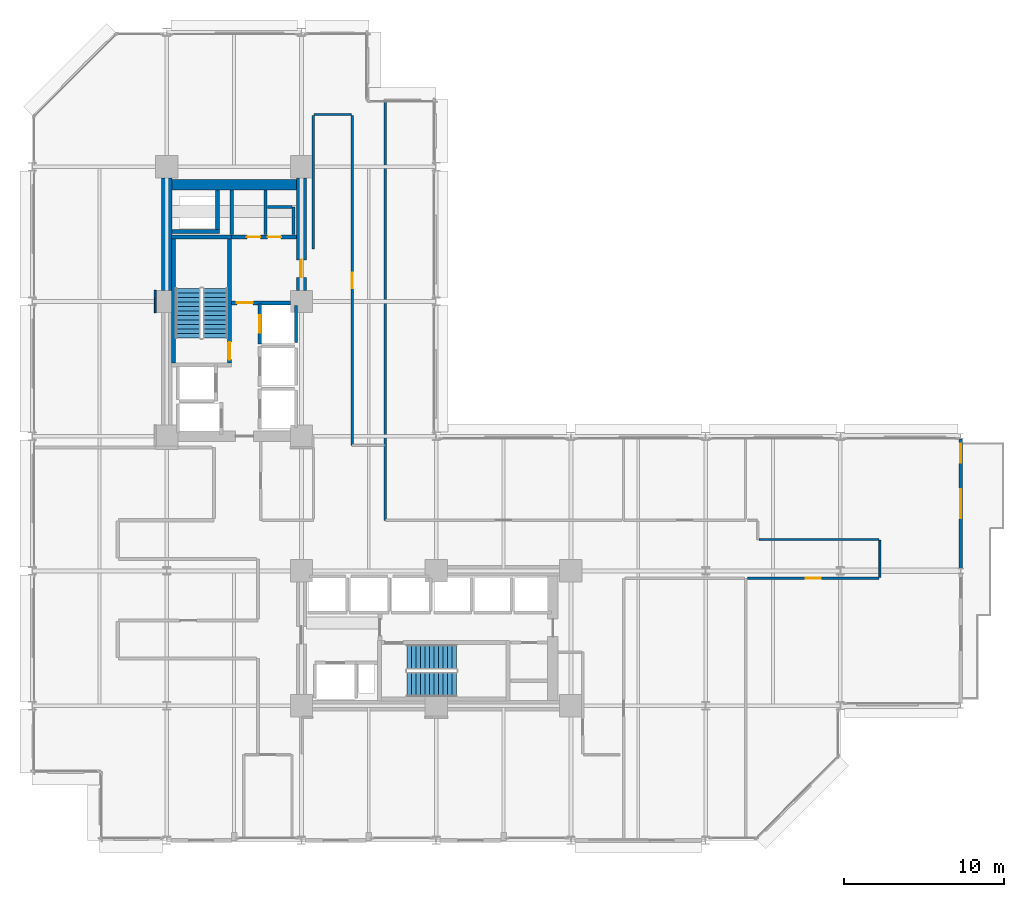
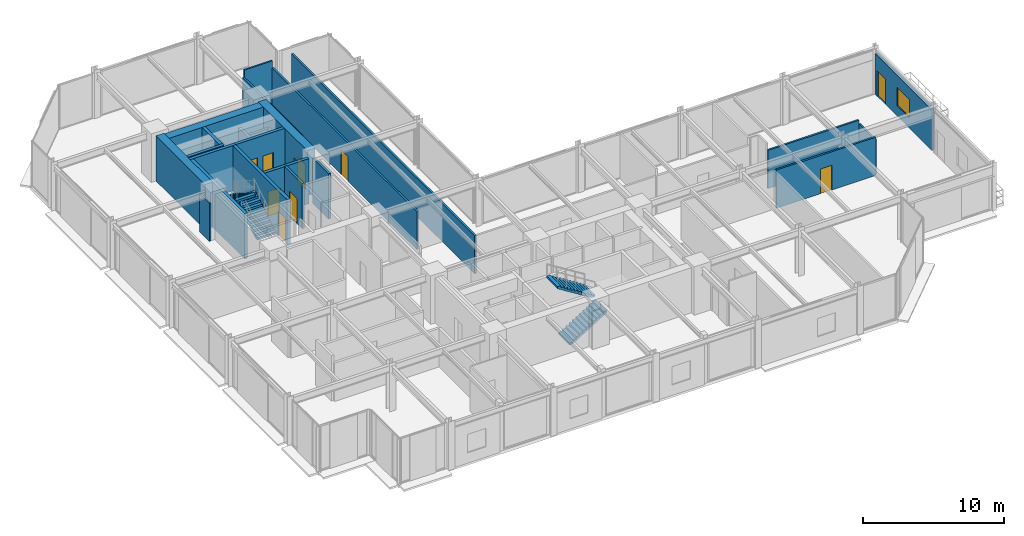
# One storey, part 24 of 27: 25 walls, 9 doors, 4 stair flights, 1 window, 10 openings, 2 elements without a shape of their own.
"""IFC4 building model written with IfcOpenShell, lengths in metres."""

from ifc_helpers import new_model, si_unit, direction, frame, frame_2d, origin, place, context, subcontext, project, spatial, polyline, rectangle, outline, extrude, material, layer, layer_set, type_object, element, fill, aggregate, save


model = new_model("IFC4")

# Units and contexts
model_context = context("Model", 3, precision=1e-05, world=origin(), true_north=direction((0.0, 1.0)))
body_context = subcontext(model_context, "Body", "Model", "MODEL_VIEW")
ifc_project = project(units=[si_unit("LENGTHUNIT", "METRE"), si_unit("AREAUNIT", "SQUARE_METRE"), si_unit("VOLUMEUNIT", "CUBIC_METRE"), si_unit("PLANEANGLEUNIT", "RADIAN"), si_unit("MASSUNIT", "GRAM", prefix="KILO")], contexts=[model_context])

# Site, building, storey
site_placement = place(None, origin())
site = spatial("IfcSite", under=ifc_project, at=site_placement, CompositionType="ELEMENT")
building_placement = place(site_placement, origin())
building = spatial("IfcBuilding", under=site, at=building_placement, Name="Nerrivon Quay Data Exchange", CompositionType="ELEMENT")
storey_placement = place(building_placement, frame((0.0, 0.0, 66.800048828125)))
storey = spatial("IfcBuildingStorey", under=building, at=storey_placement, Name="L15", CompositionType="ELEMENT", Elevation=66.800048828125)

# Wall, openings, door, window
ifc_material_1 = material(Name="Architectural terracotta precast concrete N50 (50 MPa)", Category="masonry")
ifc_layer_1 = layer(ifc_material_1, 0.239990234375)
ifc_layer_set_1 = layer_set([ifc_layer_1], Name="Architectural terracotta precast concrete N50 (50 MPa)")
wall_type_1 = type_object("IfcWallType", Name="EW-PREC-240", PredefinedType="STANDARD", material=ifc_layer_set_1)
wall_1_placement = place(storey_placement, frame((57.89990234375, 25.03662109375, 0.0), z_axis=(0.0, 0.0, 1.0), x_axis=(0.0, -1.0, 0.0)))
wall_1 = element("IfcWall", 1, at=wall_1_placement, inside=storey, type_object=wall_type_1, Name="L15 Terrace Host Wall 1", PredefinedType="STANDARD", context=body_context, shape_type="SweptSolid", body=[
    extrude(rectangle(XDim=8.0732421875, YDim=0.239990234375, at=frame_2d((4.03662109375, 0.0))), origin(), (0.0, 0.0, 1.0), 3.52197265625),
])
opening_1_placement = place(wall_1_placement, frame((0.300048828125, 0.0, 0.0)))
opening_1 = element("IfcOpeningElement", 2, at=opening_1_placement, cuts=wall_1, Name="Opening TD1", PredefinedType="OPENING", context=body_context, shape_type="SweptSolid", body=[
    extrude(rectangle(XDim=1.199951171875, YDim=2.199951171875, at=frame_2d((0.60009765625, 1.10009765625))), frame((0.0, 0.1298828125, 0.0), z_axis=(0.0, -1.0, 0.0), x_axis=(1.0, 0.0, 0.0)), (0.0, 0.0, 1.0), 0.260009765625),
])
opening_2_placement = place(wall_1_placement, frame((3.136474609375, 0.0, 0.89990234375)))
opening_2 = element("IfcOpeningElement", 3, at=opening_2_placement, cuts=wall_1, Name="Opening WN2", PredefinedType="OPENING", context=body_context, shape_type="SweptSolid", body=[
    extrude(rectangle(XDim=1.800048828125, YDim=1.60009765625, at=frame_2d((0.89990234375, 0.800048828125))), frame((0.0, 0.1298828125, 0.0), z_axis=(0.0, -1.0, 0.0), x_axis=(1.0, 0.0, 0.0)), (0.0, 0.0, 1.0), 0.260009765625),
])
ifc_material_2 = material(Name="Double-glazed low-E solar control glass", Category="glass")
door_type_1 = type_object("IfcDoorType", Name="DR-TERR-1200x2200", OperationType="NOTDEFINED", PredefinedType="DOOR", material=ifc_material_2)
door_1_placement = place(opening_1_placement, origin())
door_1 = element("IfcDoor", 4, at=door_1_placement, inside=storey, type_object=door_type_1, Name="L15 Outdoor Terrace Access Door 1", OperationType="SINGLE_SWING_RIGHT", OverallHeight=2.199951171875, OverallWidth=1.199951171875, PredefinedType="DOOR", context=body_context, shape_type="SweptSolid", body=[
    extrude(rectangle(XDim=1.199951171875, YDim=2.199951171875, at=frame_2d((0.60009765625, 1.10009765625))), frame((0.0, 0.02490234375, 0.0), z_axis=(0.0, -1.0, 0.0), x_axis=(1.0, 0.0, 0.0)), (0.0, 0.0, 1.0), 0.050048828125),
])
fill(opening_1, door_1)
window_type = type_object("IfcWindowType", Name="WIN-W2-1800x1600", PartitioningType="SINGLE_PANEL", PredefinedType="WINDOW", material=ifc_material_2)
window_placement = place(opening_2_placement, origin())
window = element("IfcWindow", 5, at=window_placement, inside=storey, type_object=window_type, Name="L15 Terrace Side Window 1", OverallHeight=1.60009765625, OverallWidth=1.800048828125, PartitioningType="SINGLE_PANEL", PredefinedType="WINDOW", context=body_context, shape_type="SweptSolid", body=[
    extrude(rectangle(XDim=1.800048828125, YDim=1.60009765625, at=frame_2d((0.89990234375, 0.800048828125))), frame((0.0, 0.030029296875, 0.0), z_axis=(0.0, -1.0, 0.0), x_axis=(1.0, 0.0, 0.0)), (0.0, 0.0, 1.0), 0.06005859375),
])
fill(opening_2, window)

# Walls
ifc_material_3 = material(Name="Concrete N80 (80 MPa)", Category="concrete")
ifc_layer_2 = layer(ifc_material_3, 0.64990234375)
ifc_layer_set_2 = layer_set([ifc_layer_2], Name="Concrete N80 (80 MPa)")
wall_type_2 = type_object("IfcWallType", Name="WALL-CW-850", PredefinedType="SHEAR", material=ifc_layer_set_2)
wall_2_placement = place(storey_placement, frame((8.39990234375, 34.300048828125, 0.0), z_axis=(0.0, 0.0, 1.0), x_axis=(0.0, 1.0, 0.0)))
element("IfcWall", 6, at=wall_2_placement, inside=storey, type_object=wall_type_2, Name="L15 West Split-Core Shear Wall WCW-W2", PredefinedType="SHEAR", context=body_context, shape_type="SweptSolid", body=[
    extrude(rectangle(XDim=7.0, YDim=0.64990234375, at=frame_2d((3.5, 0.0))), origin(), (0.0, 0.0, 1.0), 3.925048828125),
])
wall_3_placement = place(storey_placement, frame((8.72509765625, 40.875, 0.0), z_axis=(0.0, 0.0, 1.0), x_axis=(1.0, 0.0, 0.0)))
element("IfcWall", 7, at=wall_3_placement, inside=storey, type_object=wall_type_2, Name="L15 West Split-Core Shear Wall WCW-N1", PredefinedType="SHEAR", context=body_context, shape_type="SweptSolid", body=[
    extrude(rectangle(XDim=7.75, YDim=0.64990234375, at=frame_2d((3.875, 0.0))), origin(), (0.0, 0.0, 1.0), 3.925048828125),
])

# Wall, opening, door
wall_4_placement = place(storey_placement, frame((16.800048828125, 34.300048828125, 0.0), z_axis=(0.0, 0.0, 1.0), x_axis=(0.0, 1.0, 0.0)))
wall_4 = element("IfcWall", 8, at=wall_4_placement, inside=storey, type_object=wall_type_2, Name="L15 West Split-Core Shear Wall WCW-E1", PredefinedType="SHEAR", context=body_context, shape_type="SweptSolid", body=[
    extrude(rectangle(XDim=7.0, YDim=0.64990234375, at=frame_2d((3.5, 0.0))), origin(), (0.0, 0.0, 1.0), 3.925048828125),
])
opening_3_placement = place(wall_4_placement, frame((0.800048828125, 0.0, 0.0)))
opening_3 = element("IfcOpeningElement", 9, at=opening_3_placement, cuts=wall_4, Name="Opening FD-120", PredefinedType="OPENING", context=body_context, shape_type="SweptSolid", body=[
    extrude(rectangle(XDim=1.10009765625, YDim=2.14990234375, at=frame_2d((0.550048828125, 1.074951171875))), frame((0.0, 0.3349609375, 0.0), z_axis=(0.0, -1.0, 0.0), x_axis=(1.0, 0.0, 0.0)), (0.0, 0.0, 1.0), 0.669921875),
])
ifc_material_4 = material(Name="Powder-coated galvanized steel sheet", Category="steel")
door_type_2 = type_object("IfcDoorType", Name="DR-FD120-1100", OperationType="NOTDEFINED", PredefinedType="DOOR", material=ifc_material_4)
door_2_placement = place(opening_3_placement, origin())
door_2 = element("IfcDoor", 10, at=door_2_placement, inside=storey, type_object=door_type_2, Name="L15 West Core Lobby Fire Door", OperationType="SINGLE_SWING_RIGHT", OverallHeight=2.14990234375, OverallWidth=1.10009765625, PredefinedType="DOOR", context=body_context, shape_type="SweptSolid", body=[
    extrude(rectangle(XDim=1.10009765625, YDim=2.14990234375, at=frame_2d((0.550048828125, 1.074951171875))), frame((0.0, 0.02490234375, 0.0), z_axis=(0.0, -1.0, 0.0), x_axis=(1.0, 0.0, 0.0)), (0.0, 0.0, 1.0), 0.050048828125),
])
fill(opening_3, door_2)

ifc_material_5 = material(Name="Gypsum plasterboard on cold-formed framing", Category="gypsum")
ifc_layer_3 = layer(ifc_material_5, 0.199951171875)
ifc_layer_set_3 = layer_set([ifc_layer_3], Name="Gypsum plasterboard on cold-formed framing")
wall_type_3 = type_object("IfcWallType", Name="WALL-FW-200", PredefinedType="PARTITIONING", material=ifc_layer_set_3)
wall_5_placement = place(storey_placement, frame((14.199951171875, 30.949951171875, 0.0), z_axis=(0.0, 0.0, 1.0), x_axis=(0.0, 1.0, 0.0)))
wall_5 = element("IfcWall", 11, at=wall_5_placement, inside=storey, type_object=wall_type_3, Name="L15 Lift Front Wall PL3", PredefinedType="PARTITIONING", context=body_context, shape_type="SweptSolid", body=[
    extrude(rectangle(XDim=2.5, YDim=0.199951171875, at=frame_2d((1.25, 0.0))), origin(), (0.0, 0.0, 1.0), 3.925048828125),
])
opening_4_placement = place(wall_5_placement, frame((0.699951171875, 0.0, 0.0)))
opening_4 = element("IfcOpeningElement", 12, at=opening_4_placement, cuts=wall_5, Name="Opening LD-120", PredefinedType="OPENING", context=body_context, shape_type="SweptSolid", body=[
    extrude(rectangle(XDim=1.10009765625, YDim=2.199951171875, at=frame_2d((0.550048828125, 1.10009765625))), frame((0.0, 0.10986328125, 0.0), z_axis=(0.0, -1.0, 0.0), x_axis=(1.0, 0.0, 0.0)), (0.0, 0.0, 1.0), 0.219970703125),
])
door_type_3 = type_object("IfcDoorType", Name="DR-LIFT-LD120", OperationType="DOUBLE_DOOR_SLIDING", PredefinedType="DOOR", material=ifc_material_4)
door_3_placement = place(opening_4_placement, origin())
door_3 = element("IfcDoor", 13, at=door_3_placement, inside=storey, type_object=door_type_3, Name="L15 Lift Landing Sliding Door PL3", OperationType="DOUBLE_DOOR_SLIDING", OverallHeight=2.199951171875, OverallWidth=1.10009765625, PredefinedType="DOOR", context=body_context, shape_type="SweptSolid", body=[
    extrude(rectangle(XDim=1.10009765625, YDim=2.199951171875, at=frame_2d((0.550048828125, 1.10009765625))), frame((0.0, 0.02490234375, 0.0), z_axis=(0.0, -1.0, 0.0), x_axis=(1.0, 0.0, 0.0)), (0.0, 0.0, 1.0), 0.050048828125),
])
fill(opening_4, door_3)

# Walls
wall_6_placement = place(storey_placement, frame((16.449951171875, 31.050048828125, 0.0), z_axis=(0.0, 0.0, 1.0), x_axis=(0.0, 1.0, 0.0)))
element("IfcWall", 14, at=wall_6_placement, inside=storey, type_object=wall_type_3, Name="L15 Lift Shaft Wall PL3 EAST", PredefinedType="PARTITIONING", context=body_context, shape_type="SweptSolid", body=[
    extrude(rectangle(XDim=2.300048828125, YDim=0.199951171875, at=frame_2d((1.14990234375, 0.0))), origin(), (0.0, 0.0, 1.0), 3.925048828125),
])
for number, where, z_axis, x_axis, name in (
    (15, (14.550048828125, 37.780029296875, 0.0), (0.0, 0.0, 1.0), (0.0, 1.0, 0.0), "L15 Partition Electrical Switchboard Closet"),
    (16, (12.449951171875, 40.5458984375, 0.0), (0.0, 0.0, 1.0), (0.0, -1.0, 0.0), "L15 Partition Electrical Switchboard Closet"),
):
    element("IfcWall", number, at=place(storey_placement, frame(where, z_axis=z_axis, x_axis=x_axis)), inside=storey, type_object=wall_type_3, Name=name, PredefinedType="PARTITIONING", context=body_context, shape_type="SweptSolid", body=[
        extrude(rectangle(XDim=2.765869140625, YDim=0.199951171875, at=frame_2d((1.3828125, 0.0))), origin(), (0.0, 0.0, 1.0), 2.824951171875),
    ])
wall_7_placement = place(storey_placement, frame((16.300048828125, 37.780029296875, 0.0), z_axis=(0.0, 0.0, 1.0), x_axis=(0.0, 1.0, 0.0)))
element("IfcWall", 17, at=wall_7_placement, inside=storey, type_object=wall_type_3, Name="L15 Partition Janitor Closet", PredefinedType="PARTITIONING", context=body_context, shape_type="SweptSolid", body=[
    extrude(rectangle(XDim=1.719970703125, YDim=0.199951171875, at=frame_2d((0.85986328125, 0.0))), origin(), (0.0, 0.0, 1.0), 2.824951171875),
])
wall_8_placement = place(storey_placement, frame((16.196044921875, 39.5, 0.0), z_axis=(0.0, 0.0, 1.0), x_axis=(-1.0, 0.0, 0.0)))
element("IfcWall", 18, at=wall_8_placement, inside=storey, type_object=wall_type_3, Name="L15 Partition Janitor Closet", PredefinedType="PARTITIONING", context=body_context, shape_type="SweptSolid", body=[
    extrude(rectangle(XDim=1.506103515625, YDim=0.199951171875, at=frame_2d((0.7529296875, 0.0))), origin(), (0.0, 0.0, 1.0), 2.824951171875),
])
ifc_layer_4 = layer(ifc_material_5, 0.1201171875)
ifc_layer_set_4 = layer_set([ifc_layer_4], Name="Gypsum plasterboard on cold-formed framing")
wall_type_4 = type_object("IfcWallType", Name="WALL-PT-120", PredefinedType="PARTITIONING", material=ifc_layer_set_4)
wall_9_placement = place(storey_placement, frame((52.860107421875, 18.699951171875, 0.0), z_axis=(0.0, 0.0, 1.0), x_axis=(0.0, -1.0, 0.0)))
element("IfcWall", 19, at=wall_9_placement, inside=storey, type_object=wall_type_4, Name="L15 Partition Cloud Compute Workspace 1", PredefinedType="PARTITIONING", context=body_context, shape_type="SweptSolid", body=[
    extrude(rectangle(XDim=2.300048828125, YDim=0.1201171875, at=frame_2d((1.14990234375, 0.0))), origin(), (0.0, 0.0, 1.0), 3.014892578125),
])
wall_10_placement = place(storey_placement, frame((7.680908203125, 32.894287109375, 0.0), z_axis=(0.0, 0.0, 1.0), x_axis=(-0.000694685487, 0.999999758706, 0.0)))
element("IfcWall", 20, at=wall_10_placement, inside=storey, type_object=wall_type_4, Name="L15 Partition Optical Engineering Studios Workspace", PredefinedType="PARTITIONING", context=body_context, shape_type="SweptSolid", body=[
    extrude(rectangle(XDim=1.40576171875, YDim=0.1201171875, at=frame_2d((0.702880859375, 0.0))), origin(), (0.0, 0.0, 1.0), 3.31298828125),
])
wall_11_placement = place(storey_placement, frame((17.593994140625, 45.259765625, 0.0), z_axis=(0.0, 0.0, 1.0), x_axis=(0.999999994395, 0.000105876124, 0.0)))
element("IfcWall", 21, at=wall_11_placement, inside=storey, type_object=wall_type_4, Name="L15 Partition Optical Engineering Studios Workspace", PredefinedType="PARTITIONING", context=body_context, shape_type="SweptSolid", body=[
    extrude(rectangle(XDim=2.305908203125, YDim=0.1201171875, at=frame_2d((1.15283203125, 0.0))), origin(), (0.0, 0.0, 1.0), 3.925048828125),
])
ifc_layer_5 = layer(ifc_material_5, 0.14990234375)
ifc_layer_set_5 = layer_set([ifc_layer_5], Name="Gypsum plasterboard on cold-formed framing")
wall_type_5 = type_object("IfcWallType", Name="WALL-PT-150", PredefinedType="PARTITIONING", material=ifc_layer_set_5)
wall_12_placement = place(storey_placement, frame((22.02587890625, 46.031005859375, 0.0), z_axis=(0.0, 0.0, 1.0), x_axis=(0.0, -1.0, 0.0)))
element("IfcWall", 22, at=wall_12_placement, inside=storey, type_object=wall_type_5, Name="L15 Partition Peering Day Lounge", PredefinedType="PARTITIONING", context=body_context, shape_type="SweptSolid", body=[
    extrude(rectangle(XDim=26.071044921875, YDim=0.14990234375, at=frame_2d((13.03564453125, 0.0))), origin(), (0.0, 0.0, 1.0), 3.31298828125),
])
wall_13_placement = place(storey_placement, frame((45.323974609375, 18.760009765625, 0.0), z_axis=(0.0, 0.0, 1.0), x_axis=(1.0, 0.0, 0.0)))
element("IfcWall", 23, at=wall_13_placement, inside=storey, type_object=wall_type_5, Name="L15 Partition Cloud Compute Workspace 1", PredefinedType="PARTITIONING", context=body_context, shape_type="SweptSolid", body=[
    extrude(rectangle(XDim=7.47607421875, YDim=0.14990234375, at=frame_2d((3.738037109375, 0.0))), origin(), (0.0, 0.0, 1.0), 3.322998046875),
])

# Wall, opening, door
wall_14_placement = place(storey_placement, frame((52.800048828125, 16.340087890625, 0.0), z_axis=(0.0, 0.0, 1.0), x_axis=(-1.0, 0.0, 0.0)))
wall_14 = element("IfcWall", 24, at=wall_14_placement, inside=storey, type_object=wall_type_5, Name="L15 Partition Cloud Compute Workspace 1", PredefinedType="PARTITIONING", context=body_context, shape_type="SweptSolid", body=[
    extrude(rectangle(XDim=8.186279296875, YDim=0.14990234375, at=frame_2d((4.09326171875, 0.0))), origin(), (0.0, 0.0, 1.0), 3.322998046875),
])
opening_5_placement = place(wall_14_placement, frame((3.6181640625, 0.0, 0.0)))
opening_5 = element("IfcOpeningElement", 25, at=opening_5_placement, cuts=wall_14, Name="Opening D-01", PredefinedType="OPENING", context=body_context, shape_type="SweptSolid", body=[
    extrude(rectangle(XDim=0.949951171875, YDim=2.14990234375, at=frame_2d((0.47509765625, 1.074951171875))), frame((0.0, 0.0849609375, 0.0), z_axis=(0.0, -1.0, 0.0), x_axis=(1.0, 0.0, 0.0)), (0.0, 0.0, 1.0), 0.169921875),
])
ifc_material_6 = material(Name="Engineered hardwood timber", Category="wood")
door_type_4 = type_object("IfcDoorType", Name="DR-INT-950", OperationType="NOTDEFINED", PredefinedType="DOOR", material=ifc_material_6)
door_4_placement = place(opening_5_placement, origin())
door_4 = element("IfcDoor", 26, at=door_4_placement, inside=storey, type_object=door_type_4, Name="L15 Door Cloud Compute Workspace 1", OperationType="SINGLE_SWING_LEFT", OverallHeight=2.14990234375, OverallWidth=0.949951171875, PredefinedType="DOOR", context=body_context, shape_type="SweptSolid", body=[
    extrude(rectangle(XDim=0.949951171875, YDim=2.14990234375, at=frame_2d((0.47509765625, 1.074951171875))), frame((0.0, 0.02490234375, 0.0), z_axis=(0.0, -1.0, 0.0), x_axis=(1.0, 0.0, 0.0)), (0.0, 0.0, 1.0), 0.050048828125),
])
fill(opening_5, door_4)

wall_15_placement = place(storey_placement, frame((19.959716796875, 45.205810546875, 0.0), z_axis=(0.0, 0.0, 1.0), x_axis=(1.1861833e-05, -0.99999999993, 0.0)))
wall_15 = element("IfcWall", 27, at=wall_15_placement, inside=storey, type_object=wall_type_5, Name="L15 Partition Optical Engineering Studios Workspace", PredefinedType="PARTITIONING", context=body_context, shape_type="SweptSolid", body=[
    extrude(rectangle(XDim=20.58203125, YDim=0.14990234375, at=frame_2d((10.291015625, 0.0))), origin(), (0.0, 0.0, 1.0), 3.31298828125),
])
opening_6_placement = place(wall_15_placement, frame((9.81591796875, 0.0, 0.0)))
opening_6 = element("IfcOpeningElement", 28, at=opening_6_placement, cuts=wall_15, Name="Opening D-01", PredefinedType="OPENING", context=body_context, shape_type="SweptSolid", body=[
    extrude(rectangle(XDim=0.949951171875, YDim=2.14990234375, at=frame_2d((0.47509765625, 1.074951171875))), frame((0.0, 0.0849609375, 0.0), z_axis=(0.0, -1.0, 0.0), x_axis=(1.0, 0.0, 0.0)), (0.0, 0.0, 1.0), 0.169921875),
])
door_5_placement = place(opening_6_placement, origin())
door_5 = element("IfcDoor", 29, at=door_5_placement, inside=storey, type_object=door_type_4, Name="L15 Door Optical Engineering Studios Workspace", OperationType="SINGLE_SWING_LEFT", OverallHeight=2.14990234375, OverallWidth=0.949951171875, PredefinedType="DOOR", context=body_context, shape_type="SweptSolid", body=[
    extrude(rectangle(XDim=0.949951171875, YDim=2.14990234375, at=frame_2d((0.47509765625, 1.074951171875))), frame((0.0, 0.02490234375, 0.0), z_axis=(0.0, -1.0, 0.0), x_axis=(1.0, 0.0, 0.0)), (0.0, 0.0, 1.0), 0.050048828125),
])
fill(opening_6, door_5)

# Walls
wall_16_placement = place(storey_placement, frame((17.5400390625, 36.860107421875, 0.0), z_axis=(0.0, 0.0, 1.0), x_axis=(0.0, 1.0, 0.0)))
element("IfcWall", 30, at=wall_16_placement, inside=storey, type_object=wall_type_5, Name="L15 Partition Optical Engineering Studios Workspace", PredefinedType="PARTITIONING", context=body_context, shape_type="SweptSolid", body=[
    extrude(rectangle(XDim=8.33984375, YDim=0.14990234375, at=frame_2d((4.169921875, 0.0))), origin(), (0.0, 0.0, 1.0), 3.31298828125),
])
ifc_material_7 = material(Name="Concrete N50 (50 MPa)", Category="concrete")
ifc_layer_6 = layer(ifc_material_7, 0.25)
ifc_layer_set_6 = layer_set([ifc_layer_6], Name="Concrete N50 (50 MPa)")
wall_type_6 = type_object("IfcWallType", Name="WALL-SW-250", PredefinedType="SHEAR", material=ifc_layer_set_6)
wall_17_placement = place(storey_placement, frame((12.449951171875, 37.625, 0.0), z_axis=(0.0, 0.0, 1.0), x_axis=(-1.0, 0.0, 0.0)))
element("IfcWall", 31, at=wall_17_placement, inside=storey, type_object=wall_type_6, Name="L15 ST01 Structural Stair Core Wall FAR", PredefinedType="SHEAR", context=body_context, shape_type="SweptSolid", body=[
    extrude(rectangle(XDim=3.75, YDim=0.25, at=frame_2d((1.875, 0.0))), origin(), (0.0, 0.0, 1.0), 3.925048828125),
])

# Wall, opening, door
wall_18_placement = place(storey_placement, frame((12.324951171875, 29.75, 0.0), z_axis=(0.0, 0.0, 1.0), x_axis=(0.0, 1.0, 0.0)))
wall_18 = element("IfcWall", 32, at=wall_18_placement, inside=storey, type_object=wall_type_6, Name="L15 ST01 Structural Stair Core Wall LEFT", PredefinedType="SHEAR", context=body_context, shape_type="SweptSolid", body=[
    extrude(rectangle(XDim=7.75, YDim=0.25, at=frame_2d((3.875, 0.0))), origin(), (0.0, 0.0, 1.0), 3.925048828125),
])
opening_7_placement = place(wall_18_placement, frame((0.219970703125, 0.0, 0.0)))
opening_7 = element("IfcOpeningElement", 33, at=opening_7_placement, cuts=wall_18, Name="Opening FD-120", PredefinedType="OPENING", context=body_context, shape_type="SweptSolid", body=[
    extrude(rectangle(XDim=1.10009765625, YDim=2.14990234375, at=frame_2d((0.550048828125, 1.074951171875))), frame((0.0, 0.135009765625, 0.0), z_axis=(0.0, -1.0, 0.0), x_axis=(1.0, 0.0, 0.0)), (0.0, 0.0, 1.0), 0.27001953125),
])
door_6_placement = place(opening_7_placement, origin())
door_6 = element("IfcDoor", 34, at=door_6_placement, inside=storey, type_object=door_type_2, Name="L15 Protected Stair Door ST01", OperationType="SINGLE_SWING_RIGHT", OverallHeight=2.14990234375, OverallWidth=1.10009765625, PredefinedType="DOOR", context=body_context, shape_type="SweptSolid", body=[
    extrude(rectangle(XDim=1.10009765625, YDim=2.14990234375, at=frame_2d((0.550048828125, 1.074951171875))), frame((0.0, 0.02490234375, 0.0), z_axis=(0.0, -1.0, 0.0), x_axis=(1.0, 0.0, 0.0)), (0.0, 0.0, 1.0), 0.050048828125),
])
fill(opening_7, door_6)

# Walls
wall_19_placement = place(storey_placement, frame((8.824951171875, 29.75, 0.0), z_axis=(0.0, 0.0, 1.0), x_axis=(0.0, 1.0, 0.0)))
element("IfcWall", 35, at=wall_19_placement, inside=storey, type_object=wall_type_6, Name="L15 ST01 Structural Stair Core Wall RIGHT", PredefinedType="SHEAR", context=body_context, shape_type="SweptSolid", body=[
    extrude(rectangle(XDim=7.75, YDim=0.25, at=frame_2d((3.875, 0.0))), origin(), (0.0, 0.0, 1.0), 3.925048828125),
])
wall_20_placement = place(storey_placement, frame((8.72509765625, 37.97509765625, 0.0), z_axis=(0.0, 0.0, 1.0), x_axis=(1.0, 0.0, 0.0)))
element("IfcWall", 36, at=wall_20_placement, inside=storey, type_object=wall_type_6, Name="L15 West Core MEP Riser Shaft Wall S", PredefinedType="SHEAR", context=body_context, shape_type="SweptSolid", body=[
    extrude(rectangle(XDim=2.974853515625, YDim=0.25, at=frame_2d((1.4873046875, 0.0))), origin(), (0.0, 0.0, 1.0), 3.925048828125),
])
wall_21_placement = place(storey_placement, frame((11.574951171875, 38.10009765625, 0.0), z_axis=(0.0, 0.0, 1.0), x_axis=(0.0, 1.0, 0.0)))
element("IfcWall", 37, at=wall_21_placement, inside=storey, type_object=wall_type_6, Name="L15 West Core MEP Riser Shaft Wall E", PredefinedType="SHEAR", context=body_context, shape_type="SweptSolid", body=[
    extrude(rectangle(XDim=2.449951171875, YDim=0.25, at=frame_2d((1.22509765625, 0.0))), origin(), (0.0, 0.0, 1.0), 3.925048828125),
])

# Wall, opening, door
wall_22_placement = place(storey_placement, frame((12.449951171875, 33.52001953125, 0.0), z_axis=(0.0, 0.0, 1.0), x_axis=(1.0, 0.0, 0.0)))
wall_22 = element("IfcWall", 38, at=wall_22_placement, inside=storey, type_object=wall_type_6, Name="L15 West Lobby Smoke-Stop Wall", PredefinedType="SHEAR", context=body_context, shape_type="SweptSolid", body=[
    extrude(rectangle(XDim=3.650146484375, YDim=0.25, at=frame_2d((1.8251953125, 0.0))), origin(), (0.0, 0.0, 1.0), 3.925048828125),
])
opening_8_placement = place(wall_22_placement, frame((0.320068359375, 0.0, 0.0)))
opening_8 = element("IfcOpeningElement", 39, at=opening_8_placement, cuts=wall_22, Name="Opening FD-60", PredefinedType="OPENING", context=body_context, shape_type="SweptSolid", body=[
    extrude(rectangle(XDim=1.0, YDim=2.14990234375, at=frame_2d((0.5, 1.074951171875))), frame((0.0, 0.135009765625, 0.0), z_axis=(0.0, -1.0, 0.0), x_axis=(1.0, 0.0, 0.0)), (0.0, 0.0, 1.0), 0.27001953125),
])
door_type_5 = type_object("IfcDoorType", Name="DR-FD60-1000", OperationType="NOTDEFINED", PredefinedType="DOOR", material=ifc_material_6)
door_7_placement = place(opening_8_placement, origin())
door_7 = element("IfcDoor", 40, at=door_7_placement, inside=storey, type_object=door_type_5, Name="L15 West Firefighting Lobby Fire Door", OperationType="SINGLE_SWING_RIGHT", OverallHeight=2.14990234375, OverallWidth=1.0, PredefinedType="DOOR", context=body_context, shape_type="SweptSolid", body=[
    extrude(rectangle(XDim=1.0, YDim=2.14990234375, at=frame_2d((0.5, 1.074951171875))), frame((0.0, 0.02490234375, 0.0), z_axis=(0.0, -1.0, 0.0), x_axis=(1.0, 0.0, 0.0)), (0.0, 0.0, 1.0), 0.050048828125),
])
fill(opening_8, door_7)

# Wall, openings, doors
wall_23_placement = place(storey_placement, frame((12.449951171875, 37.625, 0.0), z_axis=(0.0, 0.0, 1.0), x_axis=(1.0, 0.0, 0.0)))
wall_23 = element("IfcWall", 41, at=wall_23_placement, inside=storey, type_object=wall_type_6, Name="L15 West Firefighting Lobby Wall", PredefinedType="SHEAR", context=body_context, shape_type="SweptSolid", body=[
    extrude(rectangle(XDim=4.025146484375, YDim=0.25, at=frame_2d((2.0126953125, 0.0))), origin(), (0.0, 0.0, 1.0), 3.925048828125),
])
opening_9_placement = place(wall_23_placement, frame((0.943603515625, 0.0, 0.0)))
opening_9 = element("IfcOpeningElement", 42, at=opening_9_placement, cuts=wall_23, Name="Opening FD-60S", PredefinedType="OPENING", context=body_context, shape_type="SweptSolid", body=[
    extrude(rectangle(XDim=0.85009765625, YDim=2.14990234375, at=frame_2d((0.425048828125, 1.074951171875))), frame((0.0, 0.135009765625, 0.0), z_axis=(0.0, -1.0, 0.0), x_axis=(1.0, 0.0, 0.0)), (0.0, 0.0, 1.0), 0.27001953125),
])
opening_10_placement = place(wall_23_placement, frame((2.2314453125, 0.0, 0.0)))
opening_10 = element("IfcOpeningElement", 43, at=opening_10_placement, cuts=wall_23, Name="Opening FD-60S", PredefinedType="OPENING", context=body_context, shape_type="SweptSolid", body=[
    extrude(rectangle(XDim=0.85009765625, YDim=2.14990234375, at=frame_2d((0.425048828125, 1.074951171875))), frame((0.0, 0.135009765625, 0.0), z_axis=(0.0, -1.0, 0.0), x_axis=(1.0, 0.0, 0.0)), (0.0, 0.0, 1.0), 0.27001953125),
])
door_type_6 = type_object("IfcDoorType", Name="DR-FD60-850", OperationType="NOTDEFINED", PredefinedType="DOOR", material=ifc_material_6)
door_8_placement = place(opening_9_placement, origin())
door_8 = element("IfcDoor", 44, at=door_8_placement, inside=storey, type_object=door_type_6, Name="L15 Door Electrical Switchboard Closet", OperationType="SINGLE_SWING_RIGHT", OverallHeight=2.14990234375, OverallWidth=0.85009765625, PredefinedType="DOOR", context=body_context, shape_type="SweptSolid", body=[
    extrude(rectangle(XDim=0.85009765625, YDim=2.14990234375, at=frame_2d((0.425048828125, 1.074951171875))), frame((0.0, 0.02490234375, 0.0), z_axis=(0.0, -1.0, 0.0), x_axis=(1.0, 0.0, 0.0)), (0.0, 0.0, 1.0), 0.050048828125),
])
fill(opening_9, door_8)
door_9_placement = place(opening_10_placement, origin())
door_9 = element("IfcDoor", 45, at=door_9_placement, inside=storey, type_object=door_type_6, Name="L15 Door Janitor Closet", OperationType="SINGLE_SWING_LEFT", OverallHeight=2.14990234375, OverallWidth=0.85009765625, PredefinedType="DOOR", context=body_context, shape_type="SweptSolid", body=[
    extrude(rectangle(XDim=0.85009765625, YDim=2.14990234375, at=frame_2d((0.425048828125, 1.074951171875))), frame((0.0, 0.02490234375, 0.0), z_axis=(0.0, -1.0, 0.0), x_axis=(1.0, 0.0, 0.0)), (0.0, 0.0, 1.0), 0.050048828125),
])
fill(opening_10, door_9)

# Stair, stair flights
stair_type = type_object("IfcStairType", Name="STAIR-DOG-42", PredefinedType="HALF_TURN_STAIR", material=ifc_material_7)
stair_1_placement = place(storey_placement, origin())
stair_1 = element("IfcStair", 46, at=stair_1_placement, inside=storey, type_object=stair_type, Name="L15 West Core Fire Stair ST01", PredefinedType="HALF_TURN_STAIR")
stair_flight_type = type_object("IfcStairFlightType", Name="FLIGHT-DOG-42", PredefinedType="STRAIGHT", material=ifc_material_7)
stair_flight_1_placement = place(storey_placement, frame((11.425048828125, 31.330078125, 0.0), z_axis=(0.0, 0.0, 1.0), x_axis=(0.0, 1.0, 0.0)))
stair_flight_1 = element("IfcStairFlight", 47, at=stair_flight_1_placement, type_object=stair_flight_type, Name="ST01 flight 1", NumberOfRisers=12, NumberOfTreads=11, PredefinedType="STRAIGHT", RiserHeight=0.175, TreadLength=0.28, context=body_context, shape_type="SweptSolid", body=[
    extrude(outline(polyline([(0.0, 0.0), (0.0, 0.175048828125), (0.280029296875, 0.175048828125), (0.280029296875, 0.35009765625), (0.56005859375, 0.35009765625), (0.56005859375, 0.52490234375), (0.840087890625, 0.52490234375), (0.840087890625, 0.699951171875), (1.1201171875, 0.699951171875), (1.1201171875, 0.875), (1.39990234375, 0.875), (1.39990234375, 1.050048828125), (1.679931640625, 1.050048828125), (1.679931640625, 1.22509765625), (1.9599609375, 1.22509765625), (1.9599609375, 1.39990234375), (2.239990234375, 1.39990234375), (2.239990234375, 1.574951171875), (2.52001953125, 1.574951171875), (2.52001953125, 1.75), (2.800048828125, 1.75), (2.800048828125, 1.925048828125), (3.080078125, 1.925048828125), (3.080078125, 2.10009765625), (3.080078125, 1.748291015625), (0.28271484375, 0.0), (0.0, 0.0)])), frame((0.0, 0.77490234375, 0.0), z_axis=(0.0, -1.0, 0.0), x_axis=(1.0, 0.0, 0.0)), (0.0, 0.0, 1.0), 1.550048828125),
])
stair_flight_2_placement = place(storey_placement, frame((9.72509765625, 34.409912109375, 2.099853515625), z_axis=(0.0, 0.0, 1.0), x_axis=(0.0, -1.0, 0.0)))
stair_flight_2 = element("IfcStairFlight", 48, at=stair_flight_2_placement, type_object=stair_flight_type, Name="ST01 flight 2", NumberOfRisers=12, NumberOfTreads=11, PredefinedType="STRAIGHT", RiserHeight=0.175, TreadLength=0.28, context=body_context, shape_type="SweptSolid", body=[
    extrude(outline(polyline([(0.0, 0.0), (0.0, 0.175048828125), (0.280029296875, 0.175048828125), (0.280029296875, 0.35009765625), (0.56005859375, 0.35009765625), (0.56005859375, 0.52490234375), (0.840087890625, 0.52490234375), (0.840087890625, 0.699951171875), (1.1201171875, 0.699951171875), (1.1201171875, 0.875), (1.39990234375, 0.875), (1.39990234375, 1.050048828125), (1.679931640625, 1.050048828125), (1.679931640625, 1.22509765625), (1.9599609375, 1.22509765625), (1.9599609375, 1.39990234375), (2.239990234375, 1.39990234375), (2.239990234375, 1.574951171875), (2.52001953125, 1.574951171875), (2.52001953125, 1.75), (2.800048828125, 1.75), (2.800048828125, 1.925048828125), (3.080078125, 1.925048828125), (3.080078125, 2.10009765625), (3.080078125, 1.748291015625), (0.28271484375, 0.0), (0.0, 0.0)])), frame((0.0, 0.77490234375, 0.0), z_axis=(0.0, -1.0, 0.0), x_axis=(1.0, 0.0, 0.0)), (0.0, 0.0, 1.0), 1.550048828125),
])
aggregate(stair_1, [stair_flight_1, stair_flight_2])

stair_2_placement = place(storey_placement, origin())
stair_2 = element("IfcStair", 49, at=stair_2_placement, inside=storey, type_object=stair_type, Name="L15 East Core Fire Stair ST02", PredefinedType="HALF_TURN_STAIR")
stair_flight_3_placement = place(storey_placement, frame((23.3798828125, 9.72509765625, 0.0), z_axis=(0.0, 0.0, 1.0), x_axis=(1.0, 0.0, 0.0)))
stair_flight_3 = element("IfcStairFlight", 50, at=stair_flight_3_placement, type_object=stair_flight_type, Name="ST02 flight 1", NumberOfRisers=12, NumberOfTreads=11, PredefinedType="STRAIGHT", RiserHeight=0.175, TreadLength=0.28, context=body_context, shape_type="SweptSolid", body=[
    extrude(outline(polyline([(0.0, 0.0), (0.0, 0.175048828125), (0.280029296875, 0.175048828125), (0.280029296875, 0.35009765625), (0.56005859375, 0.35009765625), (0.56005859375, 0.52490234375), (0.840087890625, 0.52490234375), (0.840087890625, 0.699951171875), (1.1201171875, 0.699951171875), (1.1201171875, 0.875), (1.39990234375, 0.875), (1.39990234375, 1.050048828125), (1.679931640625, 1.050048828125), (1.679931640625, 1.22509765625), (1.9599609375, 1.22509765625), (1.9599609375, 1.39990234375), (2.239990234375, 1.39990234375), (2.239990234375, 1.574951171875), (2.52001953125, 1.574951171875), (2.52001953125, 1.75), (2.800048828125, 1.75), (2.800048828125, 1.925048828125), (3.080078125, 1.925048828125), (3.080078125, 2.10009765625), (3.080078125, 1.748291015625), (0.28271484375, 0.0), (0.0, 0.0)])), frame((0.0, 0.77490234375, 0.0), z_axis=(0.0, -1.0, 0.0), x_axis=(1.0, 0.0, 0.0)), (0.0, 0.0, 1.0), 1.550048828125),
])
stair_flight_4_placement = place(storey_placement, frame((26.4599609375, 11.425048828125, 2.099853515625), z_axis=(0.0, 0.0, 1.0), x_axis=(-1.0, 0.0, 0.0)))
stair_flight_4 = element("IfcStairFlight", 51, at=stair_flight_4_placement, type_object=stair_flight_type, Name="ST02 flight 2", NumberOfRisers=12, NumberOfTreads=11, PredefinedType="STRAIGHT", RiserHeight=0.175, TreadLength=0.28, context=body_context, shape_type="SweptSolid", body=[
    extrude(outline(polyline([(0.0, 0.0), (0.0, 0.175048828125), (0.280029296875, 0.175048828125), (0.280029296875, 0.35009765625), (0.56005859375, 0.35009765625), (0.56005859375, 0.52490234375), (0.840087890625, 0.52490234375), (0.840087890625, 0.699951171875), (1.1201171875, 0.699951171875), (1.1201171875, 0.875), (1.39990234375, 0.875), (1.39990234375, 1.050048828125), (1.679931640625, 1.050048828125), (1.679931640625, 1.22509765625), (1.9599609375, 1.22509765625), (1.9599609375, 1.39990234375), (2.239990234375, 1.39990234375), (2.239990234375, 1.574951171875), (2.52001953125, 1.574951171875), (2.52001953125, 1.75), (2.800048828125, 1.75), (2.800048828125, 1.925048828125), (3.080078125, 1.925048828125), (3.080078125, 2.10009765625), (3.080078125, 1.748291015625), (0.28271484375, 0.0), (0.0, 0.0)])), frame((0.0, 0.77490234375, 0.0), z_axis=(0.0, -1.0, 0.0), x_axis=(1.0, 0.0, 0.0)), (0.0, 0.0, 1.0), 1.550048828125),
])
aggregate(stair_2, [stair_flight_3, stair_flight_4])

save(model, "model.ifc")
